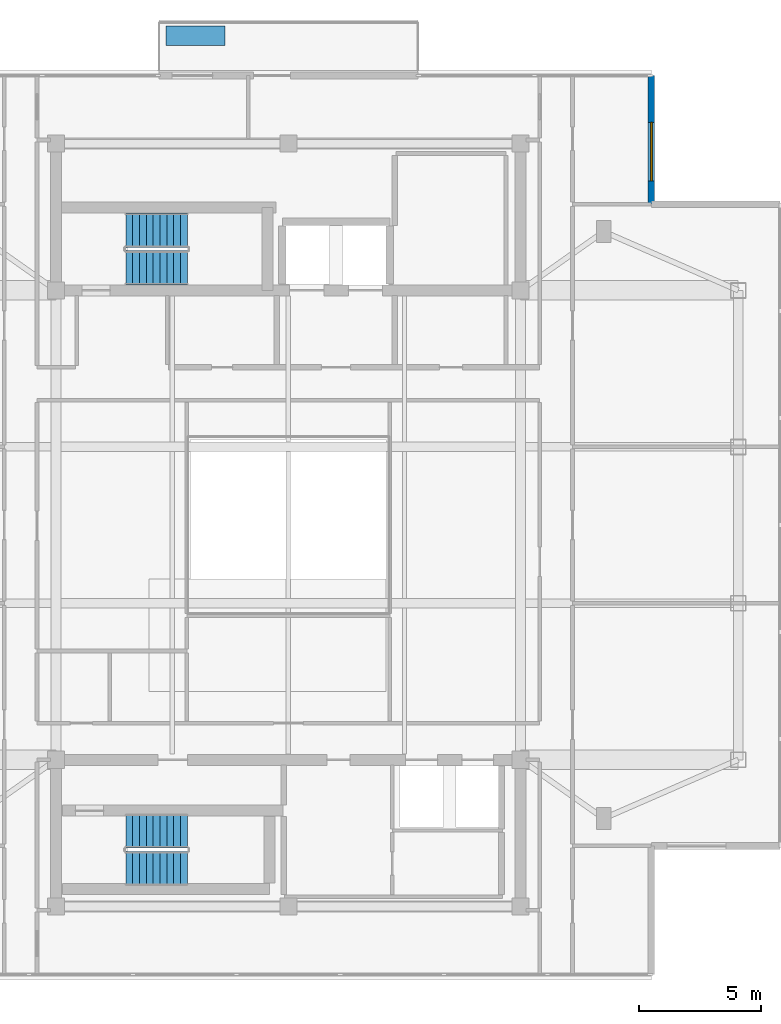
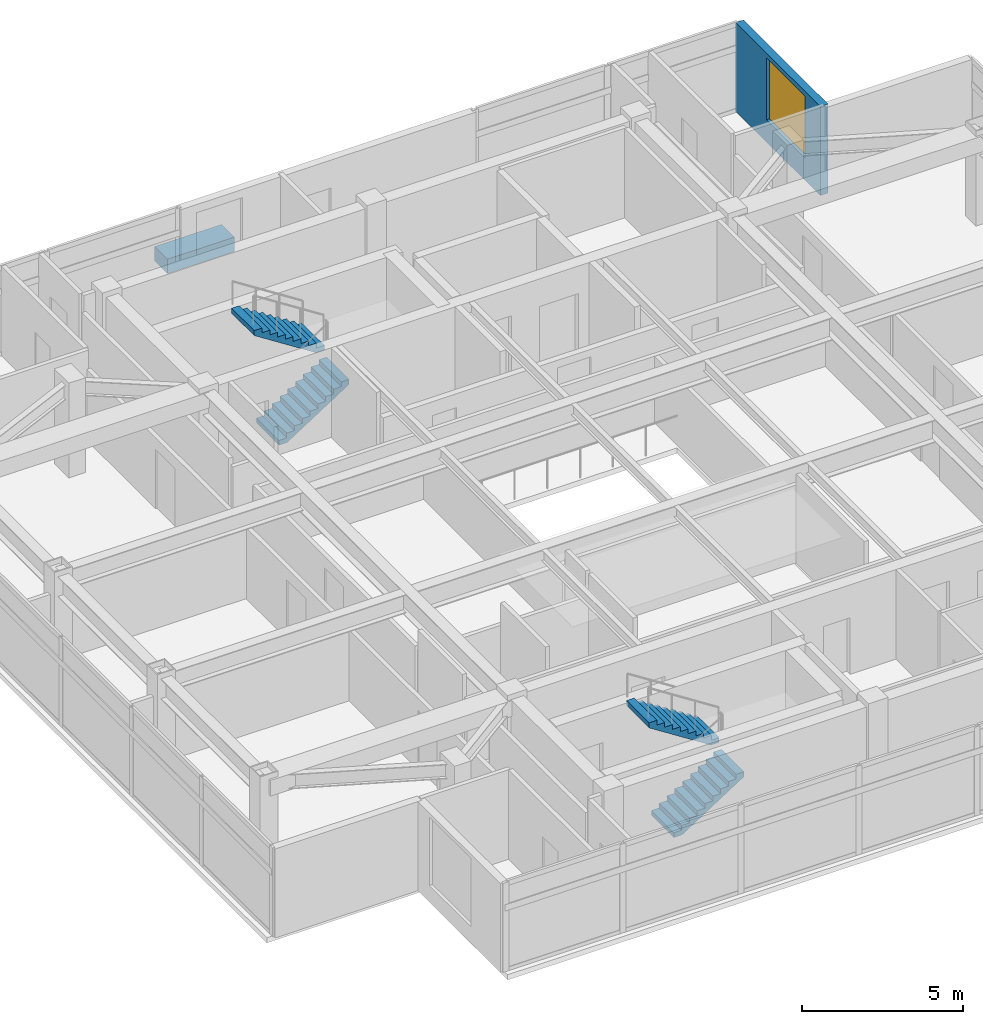
# One storey, part 8 of 12: 4 stair flights, 1 discrete accessory, 1 wall, 1 window, 1 opening, 2 elements without a shape of their own.
"""IFC4 building model written with IfcOpenShell, lengths in metres."""

from ifc_helpers import new_model, si_unit, direction, frame, frame_2d, origin, origin_2d, place, context, subcontext, project, spatial, polyline, rectangle, outline, extrude, material, layer, layer_set, type_object, element, fill, aggregate, save


model = new_model("IFC4")

# Units and contexts
model_context = context("Model", 3, precision=1e-05, world=origin(), true_north=direction((0.0, 1.0)))
body_context = subcontext(model_context, "Body", "Model", "MODEL_VIEW")
ifc_project = project(units=[si_unit("LENGTHUNIT", "METRE"), si_unit("AREAUNIT", "SQUARE_METRE"), si_unit("VOLUMEUNIT", "CUBIC_METRE"), si_unit("PLANEANGLEUNIT", "RADIAN"), si_unit("MASSUNIT", "GRAM", prefix="KILO")], contexts=[model_context])

# Site, building, storey
site_placement = place(None, origin())
site = spatial("IfcSite", under=ifc_project, at=site_placement, CompositionType="ELEMENT")
building_placement = place(site_placement, origin())
building = spatial("IfcBuilding", under=site, at=building_placement, Name="Mirazonda Arch Towers", CompositionType="ELEMENT")
storey_placement = place(building_placement, frame((0.0, 0.0, 252.699951171875)))
storey = spatial("IfcBuildingStorey", under=building, at=storey_placement, Name="L72", CompositionType="ELEMENT", Elevation=252.699951171875)

# Wall, opening, window
ifc_material_1 = material(Name="Precast Concrete C40/50", Category="concrete")
ifc_layer = layer(ifc_material_1, 0.280029296875, Name="WALL-EXT-WALL-280")
ifc_layer_set = layer_set([ifc_layer], Name="Precast Concrete C40/50")
wall_type = type_object("IfcWallType", Name="WALL-EXT-WALL-280", PredefinedType="SOLIDWALL", material=ifc_layer_set)
wall_placement = place(storey_placement, frame((35.344970703125, 41.123046875, 0.0), z_axis=(0.0, 0.0, 1.0), x_axis=(0.0, 1.0, 0.0)))
wall = element("IfcWall", 1, at=wall_placement, inside=storey, type_object=wall_type, Name="L72 T1 Notched NE Corner Wall WL-L72-T1-CNE", PredefinedType="SOLIDWALL", context=body_context, shape_type="SweptSolid", body=[
    extrude(rectangle(XDim=5.264892578125, YDim=0.280029296875, at=frame_2d((2.63232421875, 0.0))), origin(), (0.0, 0.0, 1.0), 3.380126953125),
])
opening_placement = place(wall_placement, frame((0.949951171875, 0.0, 0.85009765625)))
opening = element("IfcOpeningElement", 2, at=opening_placement, cuts=wall, Name="Opening WN-121", PredefinedType="OPENING", context=body_context, shape_type="SweptSolid", body=[
    extrude(rectangle(XDim=2.39990234375, YDim=2.35009765625, at=frame_2d((1.199951171875, 1.175048828125))), frame((0.0, 0.14990234375, 0.0), z_axis=(0.0, -1.0, 0.0), x_axis=(1.0, 0.0, 0.0)), (0.0, 0.0, 1.0), 0.300048828125),
])
ifc_material_2 = material(Name="Insulated Low-E Solar Glass", Category="glass")
window_type = type_object("IfcWindowType", Name="WIN-PENT-2400x2350", PartitioningType="SINGLE_PANEL", PredefinedType="WINDOW", material=ifc_material_2)
window_placement = place(opening_placement, origin())
window = element("IfcWindow", 3, at=window_placement, inside=storey, type_object=window_type, Name="L72 Punched Facade Window WN-L72-T1-CNE", OverallHeight=2.35009765625, OverallWidth=2.39990234375, PartitioningType="SINGLE_PANEL", PredefinedType="WINDOW", context=body_context, shape_type="SweptSolid", body=[
    extrude(rectangle(XDim=2.39990234375, YDim=2.35009765625, at=frame_2d((1.199951171875, 1.175048828125))), frame((0.0, 0.030029296875, 0.0), z_axis=(0.0, -1.0, 0.0), x_axis=(1.0, 0.0, 0.0)), (0.0, 0.0, 1.0), 0.06005859375),
])
fill(opening, window)

# Stair, stair flights
ifc_material_3 = material(Name="Concrete C40/50", Category="concrete")
stair_type = type_object("IfcStairType", Name="STAIR-CORE-1400", PredefinedType="HALF_TURN_STAIR", material=ifc_material_3)
stair_1_placement = place(storey_placement, origin())
stair_1 = element("IfcStair", 4, at=stair_1_placement, inside=storey, type_object=stair_type, Name="L72 Protected Exit Stair ST-T1N", PredefinedType="HALF_TURN_STAIR")
stair_flight_type = type_object("IfcStairFlightType", Name="FLIGHT-1400", PredefinedType="STRAIGHT", material=ifc_material_3)
stair_flight_1_placement = place(storey_placement, frame((13.85009765625, 38.52001953125, 0.0), z_axis=(0.0, 0.0, 1.0), x_axis=(1.0, 0.0, 0.0)))
stair_flight_1 = element("IfcStairFlight", 5, at=stair_flight_1_placement, type_object=stair_flight_type, Name="ST-T1N flight 1", NumberOfRisers=10, NumberOfTreads=9, PredefinedType="STRAIGHT", RiserHeight=0.18, TreadLength=0.28, context=body_context, shape_type="SweptSolid", body=[
    extrude(outline(polyline([(0.0, 0.0), (0.0, 0.179931640625), (0.280029296875, 0.179931640625), (0.280029296875, 0.360107421875), (0.56005859375, 0.360107421875), (0.56005859375, 0.5400390625), (0.840087890625, 0.5400390625), (0.840087890625, 0.719970703125), (1.1201171875, 0.719970703125), (1.1201171875, 0.89990234375), (1.39990234375, 0.89990234375), (1.39990234375, 1.080078125), (1.679931640625, 1.080078125), (1.679931640625, 1.260009765625), (1.9599609375, 1.260009765625), (1.9599609375, 1.43994140625), (2.239990234375, 1.43994140625), (2.239990234375, 1.6201171875), (2.52001953125, 1.6201171875), (2.52001953125, 1.800048828125), (2.52001953125, 1.429931640625), (0.295654296875, 0.0), (0.0, 0.0)])), frame((0.0, 0.699951171875, 0.0), z_axis=(0.0, -1.0, 0.0), x_axis=(1.0, 0.0, 0.0)), (0.0, 0.0, 1.0), 1.39990234375),
])
stair_flight_2_placement = place(storey_placement, frame((16.3701171875, 40.06005859375, 1.800048828125), z_axis=(0.0, 0.0, 1.0), x_axis=(-1.0, 0.0, 0.0)))
stair_flight_2 = element("IfcStairFlight", 6, at=stair_flight_2_placement, type_object=stair_flight_type, Name="ST-T1N flight 2", NumberOfRisers=10, NumberOfTreads=9, PredefinedType="STRAIGHT", RiserHeight=0.18, TreadLength=0.28, context=body_context, shape_type="SweptSolid", body=[
    extrude(outline(polyline([(0.0, 0.0), (0.0, 0.179931640625), (0.280029296875, 0.179931640625), (0.280029296875, 0.360107421875), (0.56005859375, 0.360107421875), (0.56005859375, 0.5400390625), (0.840087890625, 0.5400390625), (0.840087890625, 0.719970703125), (1.1201171875, 0.719970703125), (1.1201171875, 0.89990234375), (1.39990234375, 0.89990234375), (1.39990234375, 1.080078125), (1.679931640625, 1.080078125), (1.679931640625, 1.260009765625), (1.9599609375, 1.260009765625), (1.9599609375, 1.43994140625), (2.239990234375, 1.43994140625), (2.239990234375, 1.6201171875), (2.52001953125, 1.6201171875), (2.52001953125, 1.800048828125), (2.52001953125, 1.429931640625), (0.295654296875, 0.0), (0.0, 0.0)])), frame((0.0, 0.699951171875, 0.0), z_axis=(0.0, -1.0, 0.0), x_axis=(1.0, 0.0, 0.0)), (0.0, 0.0, 1.0), 1.39990234375),
])
aggregate(stair_1, [stair_flight_1, stair_flight_2])

stair_2_placement = place(storey_placement, origin())
stair_2 = element("IfcStair", 7, at=stair_2_placement, inside=storey, type_object=stair_type, Name="L72 Protected Exit Stair ST-T1S", PredefinedType="HALF_TURN_STAIR")
stair_flight_3_placement = place(storey_placement, frame((13.85009765625, 13.949951171875, 0.0), z_axis=(0.0, 0.0, 1.0), x_axis=(1.0, 0.0, 0.0)))
stair_flight_3 = element("IfcStairFlight", 8, at=stair_flight_3_placement, type_object=stair_flight_type, Name="ST-T1S flight 1", NumberOfRisers=10, NumberOfTreads=9, PredefinedType="STRAIGHT", RiserHeight=0.18, TreadLength=0.28, context=body_context, shape_type="SweptSolid", body=[
    extrude(outline(polyline([(0.0, 0.0), (0.0, 0.179931640625), (0.280029296875, 0.179931640625), (0.280029296875, 0.360107421875), (0.56005859375, 0.360107421875), (0.56005859375, 0.5400390625), (0.840087890625, 0.5400390625), (0.840087890625, 0.719970703125), (1.1201171875, 0.719970703125), (1.1201171875, 0.89990234375), (1.39990234375, 0.89990234375), (1.39990234375, 1.080078125), (1.679931640625, 1.080078125), (1.679931640625, 1.260009765625), (1.9599609375, 1.260009765625), (1.9599609375, 1.43994140625), (2.239990234375, 1.43994140625), (2.239990234375, 1.6201171875), (2.52001953125, 1.6201171875), (2.52001953125, 1.800048828125), (2.52001953125, 1.429931640625), (0.295654296875, 0.0), (0.0, 0.0)])), frame((0.0, 0.699951171875, 0.0), z_axis=(0.0, -1.0, 0.0), x_axis=(1.0, 0.0, 0.0)), (0.0, 0.0, 1.0), 1.39990234375),
])
stair_flight_4_placement = place(storey_placement, frame((16.3701171875, 15.489990234375, 1.800048828125), z_axis=(0.0, 0.0, 1.0), x_axis=(-1.0, 0.0, 0.0)))
stair_flight_4 = element("IfcStairFlight", 9, at=stair_flight_4_placement, type_object=stair_flight_type, Name="ST-T1S flight 2", NumberOfRisers=10, NumberOfTreads=9, PredefinedType="STRAIGHT", RiserHeight=0.18, TreadLength=0.28, context=body_context, shape_type="SweptSolid", body=[
    extrude(outline(polyline([(0.0, 0.0), (0.0, 0.179931640625), (0.280029296875, 0.179931640625), (0.280029296875, 0.360107421875), (0.56005859375, 0.360107421875), (0.56005859375, 0.5400390625), (0.840087890625, 0.5400390625), (0.840087890625, 0.719970703125), (1.1201171875, 0.719970703125), (1.1201171875, 0.89990234375), (1.39990234375, 0.89990234375), (1.39990234375, 1.080078125), (1.679931640625, 1.080078125), (1.679931640625, 1.260009765625), (1.9599609375, 1.260009765625), (1.9599609375, 1.43994140625), (2.239990234375, 1.43994140625), (2.239990234375, 1.6201171875), (2.52001953125, 1.6201171875), (2.52001953125, 1.800048828125), (2.52001953125, 1.429931640625), (0.295654296875, 0.0), (0.0, 0.0)])), frame((0.0, 0.699951171875, 0.0), z_axis=(0.0, -1.0, 0.0), x_axis=(1.0, 0.0, 0.0)), (0.0, 0.0, 1.0), 1.39990234375),
])
aggregate(stair_2, [stair_flight_3, stair_flight_4])

# Discrete accessory
ifc_material_4 = material(Name="Kiln-Fired Architectural Terracotta", Category="masonry")
discrete_accessory_type = type_object("IfcDiscreteAccessoryType", Name="PLANTER-TERRA", PredefinedType="USERDEFINED", material=ifc_material_4)
discrete_accessory_placement = place(storey_placement, frame((16.699951171875, 48.008056640625, 0.0), z_axis=(0.0, 0.0, 1.0), x_axis=(1.0, 0.0, 0.0)))
element("IfcDiscreteAccessory", 10, at=discrete_accessory_placement, inside=storey, type_object=discrete_accessory_type, Name="L72 T1 Sky-Terrace Planter", ObjectType="PLANTER", PredefinedType="USERDEFINED", context=body_context, shape_type="SweptSolid", body=[
    extrude(rectangle(XDim=2.39990234375, YDim=0.800048828125, at=origin_2d()), origin(), (0.0, 0.0, 1.0), 0.550048828125),
])

save(model, "model.ifc")
